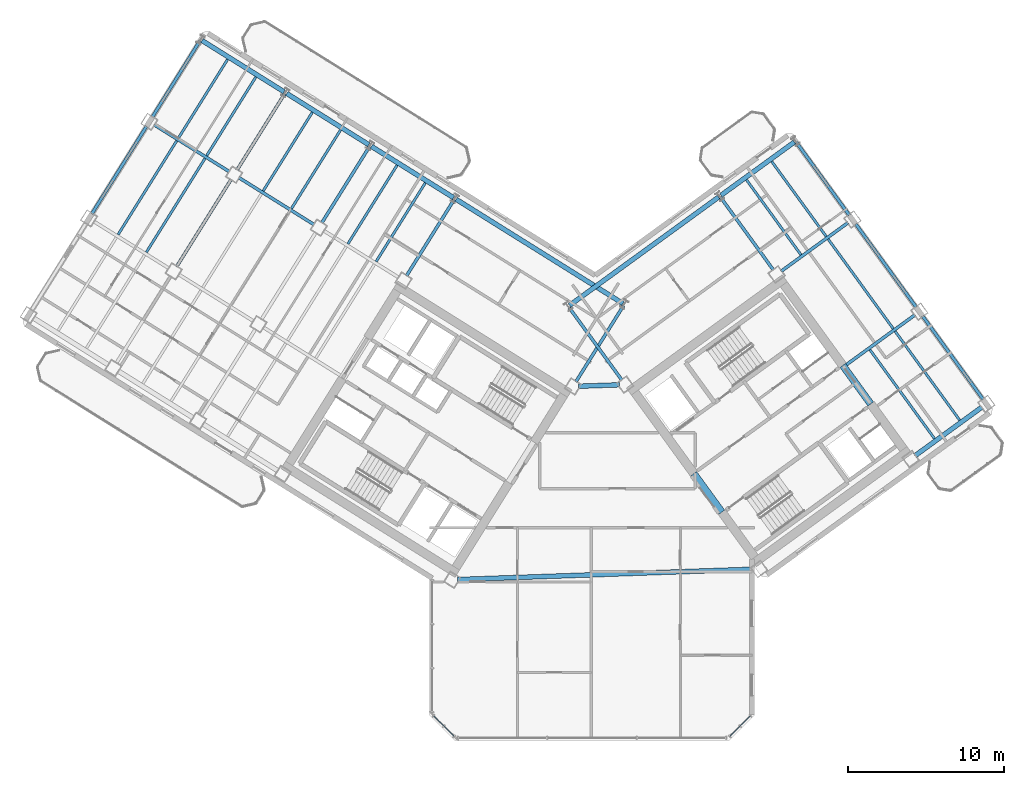
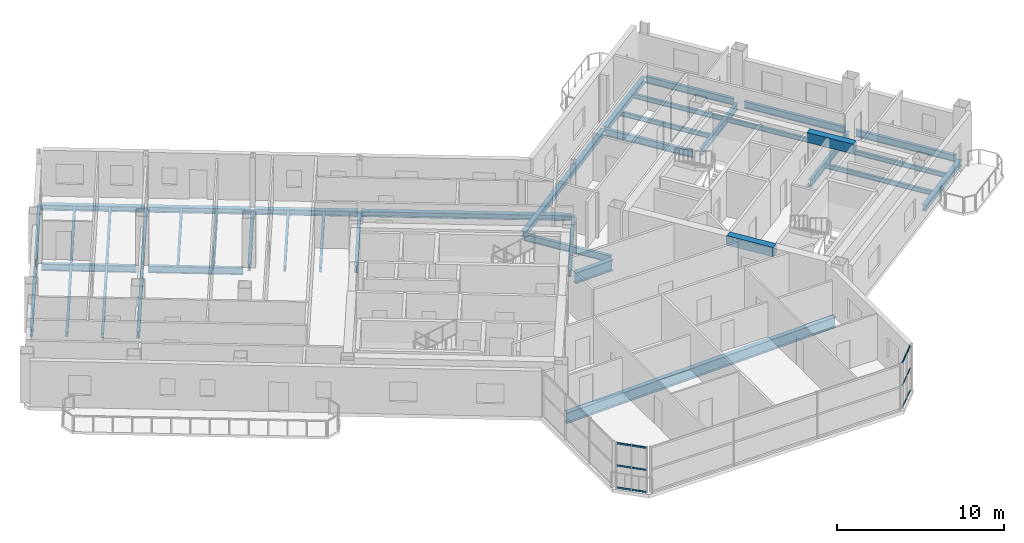
# One storey, part 7 of 20: 40 beams, 12 members, 2 elements without a shape of their own.
"""IFC4 building model written with IfcOpenShell, lengths in metres."""

import ifcopenshell
import ifcopenshell.guid

model = None  # the IFC model being written
_history = None  # IfcOwnerHistory: only IFC2X3 demands one
_inside = {}  # id of a spatial element -> (the spatial element, [elements in it])
_under = {}  # id of a project, library or spatial element -> (it, [spatial elements below it])
_declared = {}  # id of a project -> (the project, [libraries it declares])
_typed = {}  # id of a type object -> (the type object, [elements of that type])
_made_of = {}  # id of a material, layer set ... -> (it, [elements and type objects made of it])


def new_model(schema):
    """Start an empty IFC model of exactly this schema.

    Asked for "IFC4X3", IfcOpenShell would pick the latest addendum, in which some entities
    have other attributes; the version numbers below select the first issue.
    IFC2X3 requires an IfcOwnerHistory on every rooted entity: one is made here for all.
    """
    global model, _history
    if schema == "IFC4X3":
        model = ifcopenshell.file(schema_version=(4, 3, 0, 0))
    else:
        model = ifcopenshell.file(schema=schema)
    _inside.clear()
    _under.clear()
    _declared.clear()
    _typed.clear()
    _made_of.clear()
    _history = None
    if model.schema == "IFC2X3":
        org = make("IfcOrganization", Name="unknown")
        user = make(
            "IfcPersonAndOrganization",
            ThePerson=make("IfcPerson", FamilyName="unknown"),
            TheOrganization=org,
        )
        app = make(
            "IfcApplication",
            ApplicationDeveloper=org,
            Version="unknown",
            ApplicationFullName="unknown",
            ApplicationIdentifier="unknown",
        )
        _history = make(
            "IfcOwnerHistory",
            OwningUser=user,
            OwningApplication=app,
            ChangeAction="ADDED",
            CreationDate=0,
        )
    return model


def make(cls, **values):
    """One entity of the class cls with the attributes given. An attribute that is None is left unset."""
    return model.create_entity(
        cls, **{name: value for name, value in values.items() if value is not None}
    )


def rooted(cls, **values):
    """An entity with a GlobalId (a new one), such as an element, a storey or a relation."""
    return make(cls, GlobalId=ifcopenshell.guid.new(), OwnerHistory=_history, **values)


def si_unit(unit_type, name, prefix=None):
    """IfcSIUnit, for example si_unit("LENGTHUNIT", "METRE", prefix="MILLI")."""
    return make("IfcSIUnit", UnitType=unit_type, Prefix=prefix, Name=name)


def assignment(units):
    """IfcUnitAssignment: the units of a project."""
    return None if units is None else make("IfcUnitAssignment", Units=units)


def point(xyz):
    """IfcCartesianPoint."""
    return None if xyz is None else make("IfcCartesianPoint", Coordinates=xyz)


def direction(xyz):
    """IfcDirection."""
    return None if xyz is None else make("IfcDirection", DirectionRatios=xyz)


def frame(location, z_axis=None, x_axis=None):
    """IfcAxis2Placement3D, a coordinate frame: its origin and axes. An axis left out is left unset."""
    return make(
        "IfcAxis2Placement3D",
        Location=point(location),
        Axis=direction(z_axis),
        RefDirection=direction(x_axis),
    )


def frame_2d(location, x_axis=None):
    """IfcAxis2Placement2D, a coordinate frame in the plane: its origin and x axis."""
    return make(
        "IfcAxis2Placement2D", Location=point(location), RefDirection=direction(x_axis)
    )


def origin():
    """The frame at (0, 0, 0) with its axes left unset."""
    return frame((0.0, 0.0, 0.0))


def origin_2d():
    """The frame at (0, 0) in the plane with its x axis left unset."""
    return frame_2d((0.0, 0.0))


def place(relative_to, where):
    """IfcLocalPlacement: puts the frame where relative to a parent placement (None: the world)."""
    return make(
        "IfcLocalPlacement", PlacementRelTo=relative_to, RelativePlacement=where
    )


def context(
    kind, dimensions, precision=None, world=None, true_north=None, identifier=None
):
    """IfcGeometricRepresentationContext, for example the 3D "Model" context."""
    return make(
        "IfcGeometricRepresentationContext",
        ContextIdentifier=identifier,
        ContextType=kind,
        CoordinateSpaceDimension=dimensions,
        Precision=precision,
        WorldCoordinateSystem=world,
        TrueNorth=true_north,
    )


def subcontext(parent, identifier, kind, view, scale=None):
    """IfcGeometricRepresentationSubContext, for example "Body" below "Model"."""
    return make(
        "IfcGeometricRepresentationSubContext",
        ContextIdentifier=identifier,
        ContextType=kind,
        ParentContext=parent,
        TargetScale=scale,
        TargetView=view,
    )


def project(units=None, contexts=None):
    """IfcProject with its units and contexts."""
    return rooted(
        "IfcProject",
        Name="project",
        RepresentationContexts=contexts,
        UnitsInContext=assignment(units),
    )


def spatial(cls, under=None, at=None, **own):
    """A site, building, storey or space (cls), placed at a placement, below another one or the project."""
    s = rooted(cls, ObjectPlacement=at, **own)
    if under is not None:
        _under.setdefault(under.id(), (under, []))[1].append(s)
    return s


def profile(cls, at=None, kind="AREA", **sizes):
    """A parametric profile (cls). Its sizes go by their IFC names, for example OverallWidth=200.0."""
    return make(cls, ProfileType=kind, Position=at, **sizes)


def rectangle(**sizes):
    """IfcRectangleProfileDef."""
    return profile("IfcRectangleProfileDef", **sizes)


def hollow_rectangle(**sizes):
    """IfcRectangleHollowProfileDef."""
    return profile("IfcRectangleHollowProfileDef", **sizes)


def i_section(**sizes):
    """IfcIShapeProfileDef."""
    return profile("IfcIShapeProfileDef", **sizes)


def extrude(swept, where, along, depth):
    """IfcExtrudedAreaSolid: the profile swept, set in the frame where, extruded along a direction by depth."""
    return make(
        "IfcExtrudedAreaSolid",
        SweptArea=swept,
        Position=where,
        ExtrudedDirection=direction(along),
        Depth=depth,
    )


def shape(context_of_items, identifier, shape_type, items):
    """IfcShapeRepresentation: the items that make up one representation, for example the "Body"."""
    return make(
        "IfcShapeRepresentation",
        ContextOfItems=context_of_items,
        RepresentationIdentifier=identifier,
        RepresentationType=shape_type,
        Items=items,
    )


def source(mapping_origin, context_of_items, identifier, shape_type, items):
    """IfcRepresentationMap: a shape defined once, which mapped items show again and again."""
    return make(
        "IfcRepresentationMap",
        MappingOrigin=mapping_origin,
        MappedRepresentation=shape(context_of_items, identifier, shape_type, items),
    )


def transform(
    local_origin,
    x_axis=None,
    y_axis=None,
    z_axis=None,
    scale=None,
    scale2=None,
    scale3=None,
    uniform=True,
):
    """IfcCartesianTransformationOperator3D, or its non-uniform kind. x_axis, y_axis, z_axis: its Axis1, 2, 3."""
    if uniform:
        return make(
            "IfcCartesianTransformationOperator3D",
            Axis1=direction(x_axis),
            Axis2=direction(y_axis),
            LocalOrigin=point(local_origin),
            Scale=scale,
            Axis3=direction(z_axis),
        )
    return make(
        "IfcCartesianTransformationOperator3DnonUniform",
        Axis1=direction(x_axis),
        Axis2=direction(y_axis),
        LocalOrigin=point(local_origin),
        Scale=scale,
        Axis3=direction(z_axis),
        Scale2=scale2,
        Scale3=scale3,
    )


def mapped(mapping_source, mapping_target):
    """IfcMappedItem: shows the shape of a source again, moved by a transform."""
    return make(
        "IfcMappedItem", MappingSource=mapping_source, MappingTarget=mapping_target
    )


def material(Name=None, Category=None):
    """IfcMaterial."""
    return make("IfcMaterial", Name=Name, Category=Category)


def material_profile(
    of_material, cross_section, Name=None, Category=None, Priority=None
):
    """IfcMaterialProfile: a cross section and its material."""
    return make(
        "IfcMaterialProfile",
        Name=Name,
        Material=of_material,
        Profile=cross_section,
        Priority=Priority,
        Category=Category,
    )


def profile_set(profiles, Name=None, composite=None):
    """IfcMaterialProfileSet."""
    return make(
        "IfcMaterialProfileSet",
        Name=Name,
        MaterialProfiles=profiles,
        CompositeProfile=composite,
    )


def made_of(thing, what):
    """Note that an element or type object is made of a material, layer set ...; save() writes the relation."""
    if what is not None:
        _made_of.setdefault(what.id(), (what, []))[1].append(thing)
    return thing


def type_object(cls, material=None, **own):
    """A type object (cls), such as IfcWallType, which elements share."""
    return made_of(rooted(cls, **own), material)


def element(
    cls,
    number,
    at=None,
    inside=None,
    cuts=None,
    type_object=None,
    material=None,
    context=None,
    identifier="Body",
    shape_type=None,
    held_by="IfcProductDefinitionShape",
    body=None,
    shapes=None,
    **own,
):
    """One element of the class cls, such as IfcWall. Its Tag is "e" and its number.

    at: its placement. inside: the storey or other place that contains it. cuts: it is an
    opening in that element (IfcRelVoidsElement). A single representation is given by context,
    identifier, shape_type and body (its items); several are given by shapes. held_by: the class
    of the entity that holds the representations. save() writes the other relations.
    """
    e = rooted(cls, Tag="e%d" % number, ObjectPlacement=at, **own)
    if body is not None:
        shapes = [shape(context, identifier, shape_type, body)]
    if shapes is not None:
        e.Representation = make(held_by, Representations=shapes)
    if inside is not None:
        _inside.setdefault(inside.id(), (inside, []))[1].append(e)
    if cuts is not None:
        rooted(
            "IfcRelVoidsElement", RelatingBuildingElement=cuts, RelatedOpeningElement=e
        )
    if type_object is not None:
        _typed.setdefault(type_object.id(), (type_object, []))[1].append(e)
    return made_of(e, material)


def aggregate(whole, parts):
    """IfcRelAggregates: a whole, such as a stair, and the parts it consists of."""
    return rooted("IfcRelAggregates", RelatingObject=whole, RelatedObjects=parts)


def save(model, path):
    """Write the relations noted so far, then the file.

    IfcRelAggregates (storeys below a building ...), IfcRelContainedInSpatialStructure (elements
    in a storey), IfcRelDefinesByType, IfcRelAssociatesMaterial and IfcRelDeclares: one each for
    every whole, place, type object, material and project.
    """
    for whole, parts in _under.values():
        aggregate(whole, parts)
    for where, things in _inside.values():
        rooted(
            "IfcRelContainedInSpatialStructure",
            RelatedElements=things,
            RelatingStructure=where,
        )
    for kind, things in _typed.values():
        rooted("IfcRelDefinesByType", RelatedObjects=things, RelatingType=kind)
    for what, things in _made_of.values():
        rooted("IfcRelAssociatesMaterial", RelatedObjects=things, RelatingMaterial=what)
    for by, libraries in _declared.values():
        rooted("IfcRelDeclares", RelatingContext=by, RelatedDefinitions=libraries)
    model.write(path)


model = new_model("IFC4")

# Units and contexts
model_context = context("Model", 3, precision=1e-05, world=origin(), true_north=direction((0.0, 1.0)))
body_context = subcontext(model_context, "Body", "Model", "MODEL_VIEW")
ifc_project = project(units=[si_unit("LENGTHUNIT", "METRE"), si_unit("AREAUNIT", "SQUARE_METRE"), si_unit("VOLUMEUNIT", "CUBIC_METRE"), si_unit("PLANEANGLEUNIT", "RADIAN"), si_unit("MASSUNIT", "GRAM", prefix="KILO")], contexts=[model_context])

# Site, building, storey
site_placement = place(None, origin())
site = spatial("IfcSite", under=ifc_project, at=site_placement, CompositionType="ELEMENT")
building_placement = place(site_placement, origin())
building = spatial("IfcBuilding", under=site, at=building_placement, Name="Tlacorven Tower", CompositionType="ELEMENT")
storey_placement = place(building_placement, frame((0.0, 0.0, 204.0)))
storey = spatial("IfcBuildingStorey", under=building, at=storey_placement, Name="L51", CompositionType="ELEMENT", Elevation=204.0)

# Beams
ifc_material_1 = material(Name="Concrete C60/75", Category="concrete")
ifc_material_profile_1 = material_profile(ifc_material_1, rectangle(XDim=0.449951171875, YDim=0.699951171875, at=origin_2d()), Name="RC 450X700")
ifc_profile_set_1 = profile_set([ifc_material_profile_1], Name="Concrete C60/75")
beam_type_1 = type_object("IfcBeamType", Name="BM-LNT-700", PredefinedType="LINTEL", material=ifc_profile_set_1)
shared_shape_1 = source(origin(), body_context, "Body", "SweptSolid", [
    extrude(rectangle(XDim=0.449951171875, YDim=0.699951171875, at=origin_2d()), origin(), (0.0, 0.0, 1.0), 3.050048828125),
])
for number, where, z_axis, x_axis, name in (
    (1, (50.318359375, 16.416015625, 3.0), (-0.587776590479, 0.80902328748, 0.0), (-0.80902328748, -0.587776590479, 0.0), "L51 E core coupling lintel beam E1"),
    (2, (59.856689453125, 23.345947265625, 3.0), (-0.587776590479, 0.80902328748, 0.0), (-0.80902328748, -0.587776590479, 0.0), "L51 E core coupling lintel beam E2"),
):
    element("IfcBeam", number, at=place(storey_placement, frame(where, z_axis=z_axis, x_axis=x_axis)), inside=storey, type_object=beam_type_1, Name=name, PredefinedType="LINTEL", context=body_context, shape_type="MappedRepresentation", body=[
        mapped(shared_shape_1, transform((0.0, 0.0, 0.0), scale=1.0)),
    ])
ifc_material_2 = material(Name="Steel S355J2", Category="steel")
ifc_material_profile_2 = material_profile(ifc_material_2, i_section(OverallWidth=0.300048828125, OverallDepth=0.800048828125, WebThickness=0.017578125, FlangeThickness=0.032958984375, at=origin_2d()), Name="HEB 800")
ifc_profile_set_2 = profile_set([ifc_material_profile_2], Name="Steel S355J2")
beam_type_2 = type_object("IfcBeamType", Name="BM-POD-800", PredefinedType="BEAM", material=ifc_profile_set_2)
shared_shape_2 = source(origin(), body_context, "Body", "SweptSolid", [
    extrude(i_section(OverallWidth=0.300048828125, OverallDepth=0.800048828125, WebThickness=0.017578125, FlangeThickness=0.032958984375, at=origin_2d()), origin(), (0.0, 0.0, 1.0), 2.642822265625),
])
beam_1_placement = place(storey_placement, frame((41.1328125, 24.480712890625, -0.64990234375), z_axis=(0.999393314814, 0.034828182629, 0.0), x_axis=(-0.034828182629, 0.999393314814, 0.0)))
element("IfcBeam", 3, at=beam_1_placement, inside=storey, type_object=beam_type_2, Name="L51 Knuckle Link Girder 1", PredefinedType="BEAM", context=body_context, shape_type="MappedRepresentation", body=[
    mapped(shared_shape_2, transform((0.0, 0.0, 0.0), scale=1.0)),
])
ifc_material_profile_3 = material_profile(ifc_material_2, i_section(OverallWidth=0.199951171875, OverallDepth=0.5, WebThickness=0.01025390625, FlangeThickness=0.01611328125, at=origin_2d()), Name="IPE 500")
ifc_profile_set_3 = profile_set([ifc_material_profile_3], Name="Steel S355J2")
beam_type_3 = type_object("IfcBeamType", Name="BM-TWR-500", PredefinedType="BEAM", material=ifc_profile_set_3)
shared_shape_3 = source(origin(), body_context, "Body", "SweptSolid", [
    extrude(i_section(OverallWidth=0.199951171875, OverallDepth=0.5, WebThickness=0.01025390625, FlangeThickness=0.01611328125, at=origin_2d()), origin(), (0.0, 0.0, 1.0), 5.7001953125),
])
for number, where, z_axis, x_axis, name in (
    (4, (24.20361328125, 34.828369140625, -0.5), (-0.848056048787, 0.529906537151, 0.0), (-0.529906537151, -0.848056048787, 0.0), "L51 beam BM-L51-WL2-4"),
    (5, (18.776123046875, 38.2197265625, -0.5), (-0.848056048787, 0.529906537151, 0.0), (-0.529906537151, -0.848056048787, 0.0), "L51 beam BM-L51-WL2-5"),
):
    element("IfcBeam", number, at=place(storey_placement, frame(where, z_axis=z_axis, x_axis=x_axis)), inside=storey, type_object=beam_type_3, Name=name, PredefinedType="BEAM", context=body_context, shape_type="MappedRepresentation", body=[
        mapped(shared_shape_3, transform((0.0, 0.0, 0.0), scale=1.0)),
    ])
shared_shape_4 = source(origin(), body_context, "Body", "SweptSolid", [
    extrude(i_section(OverallWidth=0.199951171875, OverallDepth=0.5, WebThickness=0.01025390625, FlangeThickness=0.01611328125, at=origin_2d()), origin(), (0.0, 0.0, 1.0), 5.75),
])
for number, where, z_axis, x_axis, name in (
    (6, (44.015380859375, 29.6416015625, -0.5), (-0.529884439831, -0.848069855864, 0.0), (0.848069855864, -0.529884439831, 0.0), "L51 beam BM-L51-WT1-1"),
    (7, (33.160400390625, 36.424560546875, -0.5), (-0.529884439831, -0.848069855864, 0.0), (0.848069855864, -0.529884439831, 0.0), "L51 beam BM-L51-WT3-1"),
    (8, (27.73291015625, 39.81591796875, -0.5), (-0.529934056882, -0.848038852504, 0.0), (0.848038852504, -0.529934056882, 0.0), "L51 beam BM-L51-WT4-1"),
    (9, (16.8779296875, 46.598876953125, -0.5), (-0.529934056882, -0.848038852504, 0.0), (0.848038852504, -0.529934056882, 0.0), "L51 beam BM-L51-WT6-1"),
    (10, (43.91796875, 24.8681640625, -0.5), (-0.587770208527, 0.809027924097, 0.0), (-0.809027924097, -0.587770208527, 0.0), "L51 beam BM-L51-ET1-2"),
    (11, (53.626220703125, 31.921630859375, -0.5), (-0.587770208527, 0.809027924097, 0.0), (-0.809027924097, -0.587770208527, 0.0), "L51 beam BM-L51-ET3-2"),
    (12, (58.480224609375, 35.4482421875, -0.5), (-0.587770208527, 0.809027924097, 0.0), (-0.809027924097, -0.587770208527, 0.0), "L51 beam BM-L51-ET4-3"),
):
    element("IfcBeam", number, at=place(storey_placement, frame(where, z_axis=z_axis, x_axis=x_axis)), inside=storey, type_object=beam_type_3, Name=name, PredefinedType="BEAM", context=body_context, shape_type="MappedRepresentation", body=[
        mapped(shared_shape_4, transform((0.0, 0.0, 0.0), scale=1.0)),
    ])
shared_shape_5 = source(origin(), body_context, "Body", "SweptSolid", [
    extrude(i_section(OverallWidth=0.199951171875, OverallDepth=0.5, WebThickness=0.01025390625, FlangeThickness=0.01611328125, at=origin_2d()), origin(), (0.0, 0.0, 1.0), 6.599853515625),
])
beam_2_placement = place(storey_placement, frame((13.4599609375, 41.12890625, -0.5), z_axis=(-0.529942412256, -0.848033631227, 0.0), x_axis=(0.848033631227, -0.529942412256, 0.0)))
element("IfcBeam", 13, at=beam_2_placement, inside=storey, type_object=beam_type_3, Name="L51 beam BM-L51-WT6-2", PredefinedType="BEAM", context=body_context, shape_type="MappedRepresentation", body=[
    mapped(shared_shape_5, transform((0.0, 0.0, 0.0), scale=1.0)),
])
shared_shape_6 = source(origin(), body_context, "Body", "SweptSolid", [
    extrude(i_section(OverallWidth=0.199951171875, OverallDepth=0.5, WebThickness=0.01025390625, FlangeThickness=0.01611328125, at=origin_2d()), origin(), (0.0, 0.0, 1.0), 6.60009765625),
])
for number, where, z_axis, x_axis, name in (
    (14, (18.887451171875, 37.737548828125, -0.5), (-0.529925788294, -0.848044019436, 0.0), (0.848044019436, -0.529925788294, 0.0), "L51 beam BM-L51-WT5-2"),
    (15, (67.06201171875, 23.63671875, -0.5), (-0.587780128583, 0.809020716943, 0.0), (-0.809020716943, -0.587780128583, 0.0), "L51 beam BM-L51-ET4-1"),
    (16, (62.771240234375, 29.54248046875, -0.5), (-0.587780128583, 0.809020716943, 0.0), (-0.809020716943, -0.587780128583, 0.0), "L51 beam BM-L51-ET4-2"),
):
    element("IfcBeam", number, at=place(storey_placement, frame(where, z_axis=z_axis, x_axis=x_axis)), inside=storey, type_object=beam_type_3, Name=name, PredefinedType="BEAM", context=body_context, shape_type="MappedRepresentation", body=[
        mapped(shared_shape_6, transform((0.0, 0.0, 0.0), scale=1.0)),
    ])
shared_shape_7 = source(origin(), body_context, "Body", "SweptSolid", [
    extrude(i_section(OverallWidth=0.199951171875, OverallDepth=0.5, WebThickness=0.01025390625, FlangeThickness=0.01611328125, at=origin_2d()), origin(), (0.0, 0.0, 1.0), 5.750244140625),
])
beam_3_placement = place(storey_placement, frame((22.305419921875, 43.20751953125, -0.5), z_axis=(-0.529914976044, -0.848050775699, 0.0), x_axis=(0.848050775699, -0.529914976044, 0.0)))
element("IfcBeam", 17, at=beam_3_placement, inside=storey, type_object=beam_type_3, Name="L51 beam BM-L51-WT5-1", PredefinedType="BEAM", context=body_context, shape_type="MappedRepresentation", body=[
    mapped(shared_shape_7, transform((0.0, 0.0, 0.0), scale=1.0)),
])
shared_shape_8 = source(origin(), body_context, "Body", "SweptSolid", [
    extrude(i_section(OverallWidth=0.199951171875, OverallDepth=0.5, WebThickness=0.01025390625, FlangeThickness=0.01611328125, at=origin_2d()), origin(), (0.0, 0.0, 1.0), 5.300048828125),
])
beam_4_placement = place(storey_placement, frame((54.114990234375, 31.84423828125, -0.5), z_axis=(0.809022830186, 0.587777219904, 0.0), x_axis=(-0.587777219904, 0.809022830186, 0.0)))
element("IfcBeam", 18, at=beam_4_placement, inside=storey, type_object=beam_type_3, Name="L51 beam BM-L51-EL3-3", PredefinedType="BEAM", context=body_context, shape_type="MappedRepresentation", body=[
    mapped(shared_shape_8, transform((0.0, 0.0, 0.0), scale=1.0)),
])
shared_shape_9 = source(origin(), body_context, "Body", "SweptSolid", [
    extrude(i_section(OverallWidth=0.199951171875, OverallDepth=0.5, WebThickness=0.01025390625, FlangeThickness=0.01611328125, at=origin_2d()), origin(), (0.0, 0.0, 1.0), 5.6103515625),
])
beam_5_placement = place(storey_placement, frame((58.155029296875, 25.756103515625, -0.5), z_axis=(0.809020142627, 0.587780919071, 0.0), x_axis=(-0.587780919071, 0.809020142627, 0.0)))
element("IfcBeam", 19, at=beam_5_placement, inside=storey, type_object=beam_type_3, Name="L51 beam BM-L51-EL2-3", PredefinedType="BEAM", context=body_context, shape_type="MappedRepresentation", body=[
    mapped(shared_shape_9, transform((0.0, 0.0, 0.0), scale=1.0)),
])
shared_shape_10 = source(origin(), body_context, "Body", "SweptSolid", [
    extrude(i_section(OverallWidth=0.300048828125, OverallDepth=0.800048828125, WebThickness=0.017578125, FlangeThickness=0.032958984375, at=origin_2d()), origin(), (0.0, 0.0, 1.0), 18.97119140625),
])
beam_6_placement = place(storey_placement, frame((33.39599609375, 12.09912109375, -0.64990234375), z_axis=(0.999390787537, 0.034900627304, 0.0), x_axis=(-0.034900627304, 0.999390787537, 0.0)))
element("IfcBeam", 20, at=beam_6_placement, inside=storey, type_object=beam_type_2, Name="L51 Knuckle Link Girder 2", PredefinedType="BEAM", context=body_context, shape_type="MappedRepresentation", body=[
    mapped(shared_shape_10, transform((0.0, 0.0, 0.0), scale=1.0)),
])
ifc_material_profile_4 = material_profile(ifc_material_2, i_section(OverallWidth=0.159912109375, OverallDepth=0.330078125, WebThickness=0.007568359375, FlangeThickness=0.011474609375, at=origin_2d()), Name="IPE 330")
ifc_profile_set_4 = profile_set([ifc_material_profile_4], Name="Steel S355J2")
beam_type_4 = type_object("IfcBeamType", Name="BM-JST-330", PredefinedType="JOIST", material=ifc_profile_set_4)
shared_shape_11 = source(origin(), body_context, "Body", "SweptSolid", [
    extrude(i_section(OverallWidth=0.159912109375, OverallDepth=0.330078125, WebThickness=0.007568359375, FlangeThickness=0.011474609375, at=origin_2d()), origin(), (0.0, 0.0, 1.0), 7.0400390625),
])
beam_7_placement = place(storey_placement, frame((63.9404296875, 21.127685546875, -0.4150390625), z_axis=(-0.587773661987, 0.809025415098, 0.0), x_axis=(-0.809025415098, -0.587773661987, 0.0)))
element("IfcBeam", 21, at=beam_7_placement, inside=storey, type_object=beam_type_4, Name="L51 beam BM-L51-EJ3-1-1", PredefinedType="JOIST", context=body_context, shape_type="MappedRepresentation", body=[
    mapped(shared_shape_11, transform((0.0, 0.0, 0.0), scale=1.0)),
])
shared_shape_12 = source(origin(), body_context, "Body", "SweptSolid", [
    extrude(i_section(OverallWidth=0.159912109375, OverallDepth=0.330078125, WebThickness=0.007568359375, FlangeThickness=0.011474609375, at=origin_2d()), origin(), (0.0, 0.0, 1.0), 5.940185546875),
])
for number, where, z_axis, x_axis, name in (
    (22, (29.512939453125, 38.638916015625, -0.4150390625), (-0.529902882565, -0.848058332339, 0.0), (0.848058332339, -0.529902882565, 0.0), "L51 beam BM-L51-WJ3-1-2"),
    (23, (25.894775390625, 40.899658203125, -0.4150390625), (-0.529950911506, -0.848028319924, 0.0), (0.848028319924, -0.529950911506, 0.0), "L51 beam BM-L51-WJ4-1-1"),
    (24, (18.657958984375, 45.421875, -0.4150390625), (-0.529902882565, -0.848058332339, 0.0), (0.848058332339, -0.529902882565, 0.0), "L51 beam BM-L51-WJ5-1-2"),
    (25, (55.38818359375, 32.89892578125, -0.4150390625), (-0.587778174144, 0.809022136903, 0.0), (-0.809022136903, -0.587778174144, 0.0), "L51 beam BM-L51-EJ3-3-1"),
    (26, (57.00634765625, 34.074462890625, -0.4150390625), (-0.587778174144, 0.809022136903, 0.0), (-0.809022136903, -0.587778174144, 0.0), "L51 beam BM-L51-EJ3-3-2"),
):
    element("IfcBeam", number, at=place(storey_placement, frame(where, z_axis=z_axis, x_axis=x_axis)), inside=storey, type_object=beam_type_4, Name=name, PredefinedType="JOIST", context=body_context, shape_type="MappedRepresentation", body=[
        mapped(shared_shape_12, transform((0.0, 0.0, 0.0), scale=1.0)),
    ])
shared_shape_13 = source(origin(), body_context, "Body", "SweptSolid", [
    extrude(i_section(OverallWidth=0.159912109375, OverallDepth=0.330078125, WebThickness=0.007568359375, FlangeThickness=0.011474609375, at=origin_2d()), origin(), (0.0, 0.0, 1.0), 7.090087890625),
])
for number, where, z_axis, x_axis, name in (
    (27, (17.208251953125, 39.07568359375, -0.4150390625), (-0.529937035031, -0.848036991471, 0.0), (0.848036991471, -0.529937035031, 0.0), "L51 beam BM-L51-WJ5-2-1"),
    (28, (15.39892578125, 40.206298828125, -0.4150390625), (-0.529912270669, -0.84805246618, 0.0), (0.84805246618, -0.529912270669, 0.0), "L51 beam BM-L51-WJ5-2-2"),
    (29, (61.297119140625, 28.168701171875, -0.4150390625), (-0.587782622309, 0.809018905164, 0.0), (-0.809018905164, -0.587782622309, 0.0), "L51 beam BM-L51-EJ3-2-2"),
):
    element("IfcBeam", number, at=place(storey_placement, frame(where, z_axis=z_axis, x_axis=x_axis)), inside=storey, type_object=beam_type_4, Name=name, PredefinedType="JOIST", context=body_context, shape_type="MappedRepresentation", body=[
        mapped(shared_shape_13, transform((0.0, 0.0, 0.0), scale=1.0)),
    ])
shared_shape_14 = source(origin(), body_context, "Body", "SweptSolid", [
    extrude(i_section(OverallWidth=0.159912109375, OverallDepth=0.330078125, WebThickness=0.007568359375, FlangeThickness=0.011474609375, at=origin_2d()), origin(), (0.0, 0.0, 1.0), 5.93994140625),
])
for number, where, z_axis, x_axis, name in (
    (30, (31.322265625, 37.50830078125, -0.4150390625), (-0.529921352973, -0.848046790963, 0.0), (0.848046790963, -0.529921352973, 0.0), "L51 beam BM-L51-WJ3-1-1"),
    (31, (24.08544921875, 42.0302734375, -0.4150390625), (-0.529921352973, -0.848046790963, 0.0), (0.848046790963, -0.529921352973, 0.0), "L51 beam BM-L51-WJ4-1-2"),
    (32, (20.467041015625, 44.291259765625, -0.4150390625), (-0.529921352973, -0.848046790963, 0.0), (0.848046790963, -0.529921352973, 0.0), "L51 beam BM-L51-WJ5-1-1"),
):
    element("IfcBeam", number, at=place(storey_placement, frame(where, z_axis=z_axis, x_axis=x_axis)), inside=storey, type_object=beam_type_4, Name=name, PredefinedType="JOIST", context=body_context, shape_type="MappedRepresentation", body=[
        mapped(shared_shape_14, transform((0.0, 0.0, 0.0), scale=1.0)),
    ])
shared_shape_15 = source(origin(), body_context, "Body", "SweptSolid", [
    extrude(i_section(OverallWidth=0.159912109375, OverallDepth=0.330078125, WebThickness=0.007568359375, FlangeThickness=0.011474609375, at=origin_2d()), origin(), (0.0, 0.0, 1.0), 7.039794921875),
])
beam_8_placement = place(storey_placement, frame((65.55859375, 22.303466796875, -0.4150390625), z_axis=(-0.587790152999, 0.809013433781, 0.0), x_axis=(-0.809013433781, -0.587790152999, 0.0)))
element("IfcBeam", 33, at=beam_8_placement, inside=storey, type_object=beam_type_4, Name="L51 beam BM-L51-EJ3-1-2", PredefinedType="JOIST", context=body_context, shape_type="MappedRepresentation", body=[
    mapped(shared_shape_15, transform((0.0, 0.0, 0.0), scale=1.0)),
])
ifc_material_profile_5 = material_profile(ifc_material_2, i_section(OverallWidth=0.300048828125, OverallDepth=0.389892578125, WebThickness=0.010986328125, FlangeThickness=0.01904296875, at=origin_2d()), Name="HEA 400")
ifc_profile_set_5 = profile_set([ifc_material_profile_5], Name="Steel S355J2")
beam_type_5 = type_object("IfcBeamType", Name="BM-SPN-400", PredefinedType="SPANDREL", material=ifc_profile_set_5)
shared_shape_16 = source(origin(), body_context, "Body", "SweptSolid", [
    extrude(i_section(OverallWidth=0.300048828125, OverallDepth=0.389892578125, WebThickness=0.010986328125, FlangeThickness=0.01904296875, at=origin_2d()), origin(), (0.0, 0.0, 1.0), 12.599853515625),
])
beam_9_placement = place(storey_placement, frame((43.983642578125, 29.779296875, -0.445068359375), z_axis=(-0.848045108756, 0.529924045043, 0.0), x_axis=(-0.529924045043, -0.848045108756, 0.0)))
element("IfcBeam", 34, at=beam_9_placement, inside=storey, type_object=beam_type_5, Name="L51 beam BM-L51-WL1-1", PredefinedType="SPANDREL", context=body_context, shape_type="MappedRepresentation", body=[
    mapped(shared_shape_16, transform((0.0, 0.0, 0.0), scale=1.0)),
])
shared_shape_17 = source(origin(), body_context, "Body", "SweptSolid", [
    extrude(i_section(OverallWidth=0.300048828125, OverallDepth=0.389892578125, WebThickness=0.010986328125, FlangeThickness=0.01904296875, at=origin_2d()), origin(), (0.0, 0.0, 1.0), 6.199951171875),
])
beam_10_placement = place(storey_placement, frame((33.128662109375, 36.562255859375, -0.445068359375), z_axis=(-0.848051394107, 0.529913986372, 0.0), x_axis=(-0.529913986372, -0.848051394107, 0.0)))
element("IfcBeam", 35, at=beam_10_placement, inside=storey, type_object=beam_type_5, Name="L51 beam BM-L51-WL1-3", PredefinedType="SPANDREL", context=body_context, shape_type="MappedRepresentation", body=[
    mapped(shared_shape_17, transform((0.0, 0.0, 0.0), scale=1.0)),
])
shared_shape_18 = source(origin(), body_context, "Body", "SweptSolid", [
    extrude(i_section(OverallWidth=0.300048828125, OverallDepth=0.389892578125, WebThickness=0.010986328125, FlangeThickness=0.01904296875, at=origin_2d()), origin(), (0.0, 0.0, 1.0), 6.2001953125),
])
for number, where, z_axis, x_axis, name in (
    (36, (27.701171875, 39.95361328125, -0.445068359375), (-0.84804475579, 0.5299246099, 0.0), (-0.5299246099, -0.84804475579, 0.0), "L51 beam BM-L51-WL1-4"),
    (37, (22.273681640625, 43.34521484375, -0.445068359375), (-0.848062451332, 0.529896290457, 0.0), (-0.529896290457, -0.848062451332, 0.0), "L51 beam BM-L51-WL1-5"),
):
    element("IfcBeam", number, at=place(storey_placement, frame(where, z_axis=z_axis, x_axis=x_axis)), inside=storey, type_object=beam_type_5, Name=name, PredefinedType="SPANDREL", context=body_context, shape_type="MappedRepresentation", body=[
        mapped(shared_shape_18, transform((0.0, 0.0, 0.0), scale=1.0)),
    ])
shared_shape_19 = source(origin(), body_context, "Body", "SweptSolid", [
    extrude(i_section(OverallWidth=0.300048828125, OverallDepth=0.389892578125, WebThickness=0.010986328125, FlangeThickness=0.01904296875, at=origin_2d()), origin(), (0.0, 0.0, 1.0), 5.300048828125),
])
beam_11_placement = place(storey_placement, frame((62.69677734375, 20.032470703125, -0.445068359375), z_axis=(0.809022830186, 0.587777219904, 0.0), x_axis=(-0.587777219904, 0.809022830186, 0.0)))
element("IfcBeam", 38, at=beam_11_placement, inside=storey, type_object=beam_type_5, Name="L51 beam BM-L51-EL1-3", PredefinedType="SPANDREL", context=body_context, shape_type="MappedRepresentation", body=[
    mapped(shared_shape_19, transform((0.0, 0.0, 0.0), scale=1.0)),
])
shared_shape_20 = source(origin(), body_context, "Body", "SweptSolid", [
    extrude(i_section(OverallWidth=0.300048828125, OverallDepth=0.389892578125, WebThickness=0.010986328125, FlangeThickness=0.01904296875, at=origin_2d()), origin(), (0.0, 0.0, 1.0), 11.800048828125),
])
beam_12_placement = place(storey_placement, frame((40.560302734375, 29.65966796875, -0.445068359375), z_axis=(0.80900977213, 0.587795192732, 0.0), x_axis=(-0.587795192732, 0.80900977213, 0.0)))
element("IfcBeam", 39, at=beam_12_placement, inside=storey, type_object=beam_type_5, Name="L51 beam BM-L51-EL4-1", PredefinedType="SPANDREL", context=body_context, shape_type="MappedRepresentation", body=[
    mapped(shared_shape_20, transform((0.0, 0.0, 0.0), scale=1.0)),
])
shared_shape_21 = source(origin(), body_context, "Body", "SweptSolid", [
    extrude(i_section(OverallWidth=0.300048828125, OverallDepth=0.389892578125, WebThickness=0.010986328125, FlangeThickness=0.01904296875, at=origin_2d()), origin(), (0.0, 0.0, 1.0), 5.800048828125),
])
beam_13_placement = place(storey_placement, frame((50.2685546875, 36.713134765625, -0.445068359375), z_axis=(0.809019944521, 0.587781191743, 0.0), x_axis=(-0.587781191743, 0.809019944521, 0.0)))
element("IfcBeam", 40, at=beam_13_placement, inside=storey, type_object=beam_type_5, Name="L51 beam BM-L51-EL4-3", PredefinedType="SPANDREL", context=body_context, shape_type="MappedRepresentation", body=[
    mapped(shared_shape_21, transform((0.0, 0.0, 0.0), scale=1.0)),
])

# Curtain wall, members
ifc_material_3 = material(Name="Dark solar low-E double glazing in aluminium frame", Category="aluminium")
curtain_wall_type = type_object("IfcCurtainWallType", Name="CW-TWR-HIGH", PredefinedType="USERDEFINED", material=ifc_material_3)
curtain_wall_1_placement = place(storey_placement, origin())
curtain_wall_1 = element("IfcCurtainWall", 41, at=curtain_wall_1_placement, inside=storey, type_object=curtain_wall_type, Name="L51 CW-TWR-HIGH Curtain Wall 232", ObjectType="UNITISED CURTAIN WALL", PredefinedType="USERDEFINED")
ifc_material_4 = material(Name="Aluminium 6063-T6 anodised", Category="aluminium")
ifc_material_profile_6 = material_profile(ifc_material_4, hollow_rectangle(XDim=0.054931640625, YDim=0.1201171875, WallThickness=0.00341796875, at=origin_2d()), Name="ALU TRANSOM 55X120")
ifc_profile_set_6 = profile_set([ifc_material_profile_6], Name="Aluminium 6063-T6 anodised")
member_type = type_object("IfcMemberType", Name="CWT-03", PredefinedType="USERDEFINED", material=ifc_profile_set_6)
shared_shape_22 = source(origin(), body_context, "Body", "SweptSolid", [
    extrude(hollow_rectangle(XDim=0.054931640625, YDim=0.1201171875, WallThickness=0.00341796875, at=origin_2d()), origin(), (0.0, 0.0, 1.0), 0.899169921875),
])
member_1_placement = place(storey_placement, frame((52.13525390625, 3.361572265625, 0.06005859375), z_axis=(-0.707106781187, -0.707106781187, 0.0), x_axis=(0.707106781187, -0.707106781187, 0.0)))
member_1 = element("IfcMember", 42, at=member_1_placement, type_object=member_type, Name="CW-L51-232 Transom 1", ObjectType="TRANSOM", PredefinedType="USERDEFINED", context=body_context, shape_type="MappedRepresentation", body=[
    mapped(shared_shape_22, transform((0.0, 0.0, 0.0), scale=1.0)),
])
member_2_placement = place(storey_placement, frame((52.13525390625, 3.361572265625, 1.675048828125), z_axis=(-0.707106781187, -0.707106781187, 0.0), x_axis=(0.707106781187, -0.707106781187, 0.0)))
member_2 = element("IfcMember", 43, at=member_2_placement, type_object=member_type, Name="CW-L51-232 Transom 2", ObjectType="TRANSOM", PredefinedType="USERDEFINED", context=body_context, shape_type="MappedRepresentation", body=[
    mapped(shared_shape_22, transform((0.0, 0.0, 0.0), scale=1.0)),
])
member_3_placement = place(storey_placement, frame((52.13525390625, 3.361572265625, 3.2900390625), z_axis=(-0.707106781187, -0.707106781187, 0.0), x_axis=(0.707106781187, -0.707106781187, 0.0)))
member_3 = element("IfcMember", 44, at=member_3_placement, type_object=member_type, Name="CW-L51-232 Transom 3", ObjectType="TRANSOM", PredefinedType="USERDEFINED", context=body_context, shape_type="MappedRepresentation", body=[
    mapped(shared_shape_22, transform((0.0, 0.0, 0.0), scale=1.0)),
])
member_4_placement = place(storey_placement, frame((51.47412109375, 2.700439453125, 0.06005859375), z_axis=(-0.707106781187, -0.707106781187, 0.0), x_axis=(0.707106781187, -0.707106781187, 0.0)))
member_4 = element("IfcMember", 45, at=member_4_placement, type_object=member_type, Name="CW-L51-232 Transom 4", ObjectType="TRANSOM", PredefinedType="USERDEFINED", context=body_context, shape_type="MappedRepresentation", body=[
    mapped(shared_shape_22, transform((0.0, 0.0, 0.0), scale=1.0)),
])
member_5_placement = place(storey_placement, frame((51.47412109375, 2.700439453125, 1.675048828125), z_axis=(-0.707106781187, -0.707106781187, 0.0), x_axis=(0.707106781187, -0.707106781187, 0.0)))
member_5 = element("IfcMember", 46, at=member_5_placement, type_object=member_type, Name="CW-L51-232 Transom 5", ObjectType="TRANSOM", PredefinedType="USERDEFINED", context=body_context, shape_type="MappedRepresentation", body=[
    mapped(shared_shape_22, transform((0.0, 0.0, 0.0), scale=1.0)),
])
member_6_placement = place(storey_placement, frame((51.47412109375, 2.700439453125, 3.2900390625), z_axis=(-0.707106781187, -0.707106781187, 0.0), x_axis=(0.707106781187, -0.707106781187, 0.0)))
member_6 = element("IfcMember", 47, at=member_6_placement, type_object=member_type, Name="CW-L51-232 Transom 6", ObjectType="TRANSOM", PredefinedType="USERDEFINED", context=body_context, shape_type="MappedRepresentation", body=[
    mapped(shared_shape_22, transform((0.0, 0.0, 0.0), scale=1.0)),
])
aggregate(curtain_wall_1, [member_1, member_2, member_3, member_4, member_5, member_6])

curtain_wall_2_placement = place(storey_placement, origin())
curtain_wall_2 = element("IfcCurtainWall", 48, at=curtain_wall_2_placement, inside=storey, type_object=curtain_wall_type, Name="L51 CW-TWR-HIGH Curtain Wall 234", ObjectType="UNITISED CURTAIN WALL", PredefinedType="USERDEFINED")
member_7_placement = place(storey_placement, frame((33.16162109375, 2.064697265625, 0.06005859375), z_axis=(-0.707106781187, 0.707106781187, 0.0), x_axis=(-0.707106781187, -0.707106781187, 0.0)))
member_7 = element("IfcMember", 49, at=member_7_placement, type_object=member_type, Name="CW-L51-234 Transom 1", ObjectType="TRANSOM", PredefinedType="USERDEFINED", context=body_context, shape_type="MappedRepresentation", body=[
    mapped(shared_shape_22, transform((0.0, 0.0, 0.0), scale=1.0)),
])
member_8_placement = place(storey_placement, frame((33.16162109375, 2.064697265625, 1.675048828125), z_axis=(-0.707106781187, 0.707106781187, 0.0), x_axis=(-0.707106781187, -0.707106781187, 0.0)))
member_8 = element("IfcMember", 50, at=member_8_placement, type_object=member_type, Name="CW-L51-234 Transom 2", ObjectType="TRANSOM", PredefinedType="USERDEFINED", context=body_context, shape_type="MappedRepresentation", body=[
    mapped(shared_shape_22, transform((0.0, 0.0, 0.0), scale=1.0)),
])
member_9_placement = place(storey_placement, frame((33.16162109375, 2.064697265625, 3.2900390625), z_axis=(-0.707106781187, 0.707106781187, 0.0), x_axis=(-0.707106781187, -0.707106781187, 0.0)))
member_9 = element("IfcMember", 51, at=member_9_placement, type_object=member_type, Name="CW-L51-234 Transom 3", ObjectType="TRANSOM", PredefinedType="USERDEFINED", context=body_context, shape_type="MappedRepresentation", body=[
    mapped(shared_shape_22, transform((0.0, 0.0, 0.0), scale=1.0)),
])
member_10_placement = place(storey_placement, frame((32.50048828125, 2.725830078125, 0.06005859375), z_axis=(-0.707106781187, 0.707106781187, 0.0), x_axis=(-0.707106781187, -0.707106781187, 0.0)))
member_10 = element("IfcMember", 52, at=member_10_placement, type_object=member_type, Name="CW-L51-234 Transom 4", ObjectType="TRANSOM", PredefinedType="USERDEFINED", context=body_context, shape_type="MappedRepresentation", body=[
    mapped(shared_shape_22, transform((0.0, 0.0, 0.0), scale=1.0)),
])
member_11_placement = place(storey_placement, frame((32.50048828125, 2.725830078125, 1.675048828125), z_axis=(-0.707106781187, 0.707106781187, 0.0), x_axis=(-0.707106781187, -0.707106781187, 0.0)))
member_11 = element("IfcMember", 53, at=member_11_placement, type_object=member_type, Name="CW-L51-234 Transom 5", ObjectType="TRANSOM", PredefinedType="USERDEFINED", context=body_context, shape_type="MappedRepresentation", body=[
    mapped(shared_shape_22, transform((0.0, 0.0, 0.0), scale=1.0)),
])
member_12_placement = place(storey_placement, frame((32.50048828125, 2.725830078125, 3.2900390625), z_axis=(-0.707106781187, 0.707106781187, 0.0), x_axis=(-0.707106781187, -0.707106781187, 0.0)))
member_12 = element("IfcMember", 54, at=member_12_placement, type_object=member_type, Name="CW-L51-234 Transom 6", ObjectType="TRANSOM", PredefinedType="USERDEFINED", context=body_context, shape_type="MappedRepresentation", body=[
    mapped(shared_shape_22, transform((0.0, 0.0, 0.0), scale=1.0)),
])
aggregate(curtain_wall_2, [member_7, member_8, member_9, member_10, member_11, member_12])

save(model, "model.ifc")
